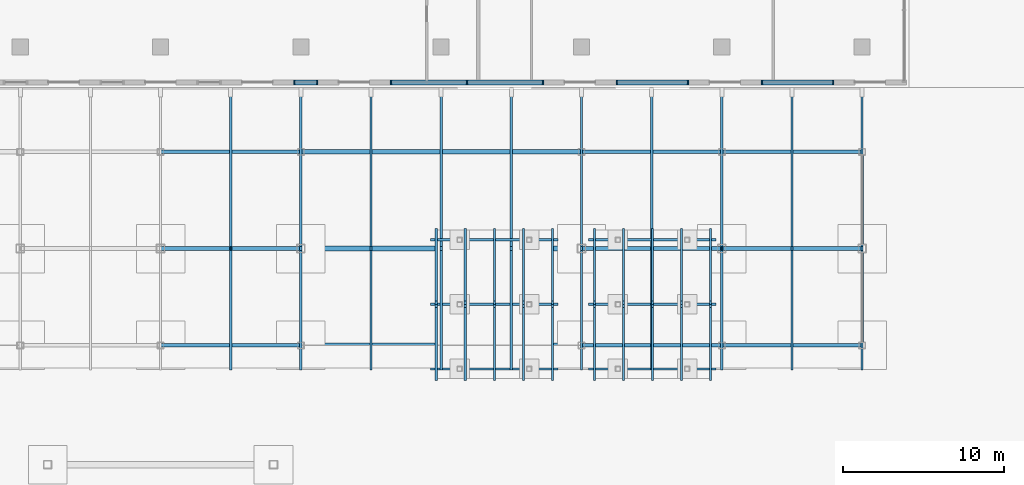
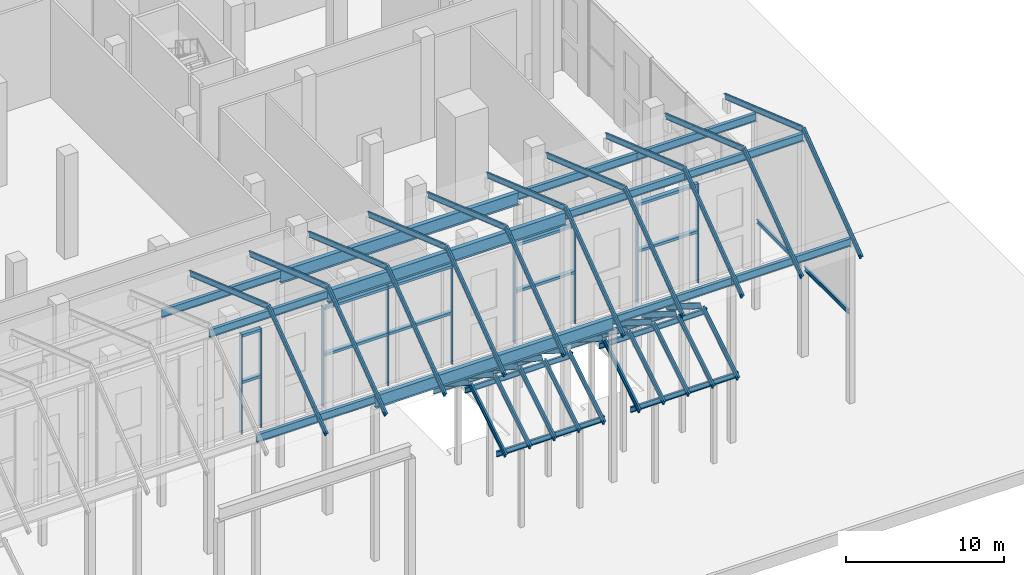
# One storey, part 11 of 31: 60 beams, 19 members, 4 elements without a shape of their own.
"""IFC4 building model written with IfcOpenShell, lengths in metres."""

from ifc_helpers import new_model, si_unit, direction, frame, origin, origin_2d, place, context, subcontext, project, spatial, rectangle, i_section, extrude, material, material_profile, profile_set, type_object, element, aggregate, save


model = new_model("IFC4")

# Units and contexts
model_context = context("Model", 3, precision=1e-05, world=origin(), true_north=direction((0.0, 1.0)))
body_context = subcontext(model_context, "Body", "Model", "MODEL_VIEW")
ifc_project = project(units=[si_unit("LENGTHUNIT", "METRE"), si_unit("AREAUNIT", "SQUARE_METRE"), si_unit("VOLUMEUNIT", "CUBIC_METRE"), si_unit("PLANEANGLEUNIT", "RADIAN"), si_unit("MASSUNIT", "GRAM", prefix="KILO")], contexts=[model_context])

# Site, building, storey
site_placement = place(None, origin())
site = spatial("IfcSite", under=ifc_project, at=site_placement, CompositionType="ELEMENT")
building_placement = place(site_placement, origin())
building = spatial("IfcBuilding", under=site, at=building_placement, Name="Bicima Exchange Tower", CompositionType="ELEMENT")
storey_placement = place(building_placement, origin())
storey = spatial("IfcBuildingStorey", under=building, at=storey_placement, Name="L00", CompositionType="ELEMENT", Elevation=0.0)

# Curtain wall, members
ifc_material_1 = material(Name="Stainless steel", Category="steel")
curtain_wall_type = type_object("IfcCurtainWallType", Name="Hall structural glazing", PredefinedType="NOTDEFINED", material=ifc_material_1)
curtain_wall_1_placement = place(storey_placement, origin())
curtain_wall_1 = element("IfcCurtainWall", 1, at=curtain_wall_1_placement, inside=storey, type_object=curtain_wall_type, Name="Podium glazing L00 south 14", PredefinedType="NOTDEFINED")
ifc_material_profile_1 = material_profile(ifc_material_1, rectangle(XDim=0.300048828125, YDim=0.080078125, at=origin_2d()))
ifc_profile_set_1 = profile_set([ifc_material_profile_1], Name="Stainless steel")
member_type_1 = type_object("IfcMemberType", Name="Hall structural glazing mullion 80 x 300", PredefinedType="MULLION", material=ifc_profile_set_1)
member_1_placement = place(storey_placement, frame((8.2900390625, -53.699951171875, 0.0), z_axis=(0.0, 0.0, 1.0), x_axis=(0.0, 1.0, 0.0)))
member_1 = element("IfcMember", 2, at=member_1_placement, type_object=member_type_1, Name="Hall structural glazing mullion 1", PredefinedType="MULLION", context=body_context, shape_type="SweptSolid", body=[
    extrude(rectangle(XDim=0.300048828125, YDim=0.080078125, at=origin_2d()), origin(), (0.0, 0.0, 1.0), 7.699951171875),
])
member_2_placement = place(storey_placement, frame((9.7099609375, -53.699951171875, 0.0), z_axis=(0.0, 0.0, 1.0), x_axis=(0.0, 1.0, 0.0)))
member_2 = element("IfcMember", 3, at=member_2_placement, type_object=member_type_1, Name="Hall structural glazing mullion 2", PredefinedType="MULLION", context=body_context, shape_type="SweptSolid", body=[
    extrude(rectangle(XDim=0.300048828125, YDim=0.080078125, at=origin_2d()), origin(), (0.0, 0.0, 1.0), 7.699951171875),
])

curtain_wall_2_placement = place(storey_placement, origin())
curtain_wall_2 = element("IfcCurtainWall", 4, at=curtain_wall_2_placement, inside=storey, type_object=curtain_wall_type, Name="Podium glazing L00 south 16", PredefinedType="NOTDEFINED")
member_3_placement = place(storey_placement, frame((14.2900390625, -53.699951171875, 0.0), z_axis=(0.0, 0.0, 1.0), x_axis=(0.0, 1.0, 0.0)))
member_3 = element("IfcMember", 5, at=member_3_placement, type_object=member_type_1, Name="Hall structural glazing mullion 1", PredefinedType="MULLION", context=body_context, shape_type="SweptSolid", body=[
    extrude(rectangle(XDim=0.300048828125, YDim=0.080078125, at=origin_2d()), origin(), (0.0, 0.0, 1.0), 7.699951171875),
])
member_4_placement = place(storey_placement, frame((19.0, -53.699951171875, 0.0), z_axis=(0.0, 0.0, 1.0), x_axis=(0.0, 1.0, 0.0)))
member_4 = element("IfcMember", 6, at=member_4_placement, type_object=member_type_1, Name="Hall structural glazing mullion 2", PredefinedType="MULLION", context=body_context, shape_type="SweptSolid", body=[
    extrude(rectangle(XDim=0.300048828125, YDim=0.080078125, at=origin_2d()), origin(), (0.0, 0.0, 1.0), 7.699951171875),
])
member_5_placement = place(storey_placement, frame((23.7099609375, -53.699951171875, 0.0), z_axis=(0.0, 0.0, 1.0), x_axis=(0.0, 1.0, 0.0)))
member_5 = element("IfcMember", 7, at=member_5_placement, type_object=member_type_1, Name="Hall structural glazing mullion 3", PredefinedType="MULLION", context=body_context, shape_type="SweptSolid", body=[
    extrude(rectangle(XDim=0.300048828125, YDim=0.080078125, at=origin_2d()), origin(), (0.0, 0.0, 1.0), 7.699951171875),
])

curtain_wall_3_placement = place(storey_placement, origin())
curtain_wall_3 = element("IfcCurtainWall", 8, at=curtain_wall_3_placement, inside=storey, type_object=curtain_wall_type, Name="Podium glazing L00 south 18", PredefinedType="NOTDEFINED")
member_6_placement = place(storey_placement, frame((28.2900390625, -53.699951171875, 0.0), z_axis=(0.0, 0.0, 1.0), x_axis=(0.0, 1.0, 0.0)))
member_6 = element("IfcMember", 9, at=member_6_placement, type_object=member_type_1, Name="Hall structural glazing mullion 1", PredefinedType="MULLION", context=body_context, shape_type="SweptSolid", body=[
    extrude(rectangle(XDim=0.300048828125, YDim=0.080078125, at=origin_2d()), origin(), (0.0, 0.0, 1.0), 7.699951171875),
])
member_7_placement = place(storey_placement, frame((32.7099609375, -53.699951171875, 0.0), z_axis=(0.0, 0.0, 1.0), x_axis=(0.0, 1.0, 0.0)))
member_7 = element("IfcMember", 10, at=member_7_placement, type_object=member_type_1, Name="Hall structural glazing mullion 2", PredefinedType="MULLION", context=body_context, shape_type="SweptSolid", body=[
    extrude(rectangle(XDim=0.300048828125, YDim=0.080078125, at=origin_2d()), origin(), (0.0, 0.0, 1.0), 7.699951171875),
])

curtain_wall_4_placement = place(storey_placement, origin())
curtain_wall_4 = element("IfcCurtainWall", 11, at=curtain_wall_4_placement, inside=storey, type_object=curtain_wall_type, Name="Podium glazing L00 south 20", PredefinedType="NOTDEFINED")
member_8_placement = place(storey_placement, frame((37.2900390625, -53.699951171875, 0.0), z_axis=(0.0, 0.0, 1.0), x_axis=(0.0, 1.0, 0.0)))
member_8 = element("IfcMember", 12, at=member_8_placement, type_object=member_type_1, Name="Hall structural glazing mullion 1", PredefinedType="MULLION", context=body_context, shape_type="SweptSolid", body=[
    extrude(rectangle(XDim=0.300048828125, YDim=0.080078125, at=origin_2d()), origin(), (0.0, 0.0, 1.0), 7.699951171875),
])
member_9_placement = place(storey_placement, frame((41.7099609375, -53.699951171875, 0.0), z_axis=(0.0, 0.0, 1.0), x_axis=(0.0, 1.0, 0.0)))
member_9 = element("IfcMember", 13, at=member_9_placement, type_object=member_type_1, Name="Hall structural glazing mullion 2", PredefinedType="MULLION", context=body_context, shape_type="SweptSolid", body=[
    extrude(rectangle(XDim=0.300048828125, YDim=0.080078125, at=origin_2d()), origin(), (0.0, 0.0, 1.0), 7.699951171875),
])

# Member
ifc_material_profile_2 = material_profile(ifc_material_1, rectangle(XDim=0.300048828125, YDim=0.199951171875, at=origin_2d()))
ifc_profile_set_2 = profile_set([ifc_material_profile_2], Name="Stainless steel")
member_type_2 = type_object("IfcMemberType", Name="Hall structural glazing transom 200 x 300", PredefinedType="USERDEFINED", material=ifc_profile_set_2)
member_10_placement = place(storey_placement, frame((8.330078125, -53.699951171875, 4.0), z_axis=(1.0, 0.0, 0.0), x_axis=(0.0, 1.0, 0.0)))
member_10 = element("IfcMember", 14, at=member_10_placement, type_object=member_type_2, Name="Hall structural glazing transom 1.1", ObjectType="TRANSOM", PredefinedType="USERDEFINED", context=body_context, shape_type="SweptSolid", body=[
    extrude(rectangle(XDim=0.300048828125, YDim=0.199951171875, at=origin_2d()), origin(), (0.0, 0.0, 1.0), 1.33984375),
])

member_11_placement = place(storey_placement, frame((8.330078125, -53.699951171875, 7.60009765625), z_axis=(1.0, 0.0, 0.0), x_axis=(0.0, 1.0, 0.0)))
member_11 = element("IfcMember", 15, at=member_11_placement, type_object=member_type_2, Name="Hall structural glazing transom 1.2", ObjectType="TRANSOM", PredefinedType="USERDEFINED", context=body_context, shape_type="SweptSolid", body=[
    extrude(rectangle(XDim=0.300048828125, YDim=0.199951171875, at=origin_2d()), origin(), (0.0, 0.0, 1.0), 1.33984375),
])

aggregate(curtain_wall_1, [member_1, member_2, member_10, member_11])

member_12_placement = place(storey_placement, frame((14.330078125, -53.699951171875, 4.0), z_axis=(1.0, 0.0, 0.0), x_axis=(0.0, 1.0, 0.0)))
member_12 = element("IfcMember", 16, at=member_12_placement, type_object=member_type_2, Name="Hall structural glazing transom 1.1", ObjectType="TRANSOM", PredefinedType="USERDEFINED", context=body_context, shape_type="SweptSolid", body=[
    extrude(rectangle(XDim=0.300048828125, YDim=0.199951171875, at=origin_2d()), origin(), (0.0, 0.0, 1.0), 4.6298828125),
])

member_13_placement = place(storey_placement, frame((14.330078125, -53.699951171875, 7.60009765625), z_axis=(1.0, 0.0, 0.0), x_axis=(0.0, 1.0, 0.0)))
member_13 = element("IfcMember", 17, at=member_13_placement, type_object=member_type_2, Name="Hall structural glazing transom 1.2", ObjectType="TRANSOM", PredefinedType="USERDEFINED", context=body_context, shape_type="SweptSolid", body=[
    extrude(rectangle(XDim=0.300048828125, YDim=0.199951171875, at=origin_2d()), origin(), (0.0, 0.0, 1.0), 4.6298828125),
])

member_14_placement = place(storey_placement, frame((19.0400390625, -53.699951171875, 4.0), z_axis=(1.0, 0.0, 0.0), x_axis=(0.0, 1.0, 0.0)))
member_14 = element("IfcMember", 18, at=member_14_placement, type_object=member_type_2, Name="Hall structural glazing transom 2.1", ObjectType="TRANSOM", PredefinedType="USERDEFINED", context=body_context, shape_type="SweptSolid", body=[
    extrude(rectangle(XDim=0.300048828125, YDim=0.199951171875, at=origin_2d()), origin(), (0.0, 0.0, 1.0), 4.6298828125),
])

member_15_placement = place(storey_placement, frame((19.0400390625, -53.699951171875, 7.60009765625), z_axis=(1.0, 0.0, 0.0), x_axis=(0.0, 1.0, 0.0)))
member_15 = element("IfcMember", 19, at=member_15_placement, type_object=member_type_2, Name="Hall structural glazing transom 2.2", ObjectType="TRANSOM", PredefinedType="USERDEFINED", context=body_context, shape_type="SweptSolid", body=[
    extrude(rectangle(XDim=0.300048828125, YDim=0.199951171875, at=origin_2d()), origin(), (0.0, 0.0, 1.0), 4.6298828125),
])

aggregate(curtain_wall_2, [member_3, member_4, member_5, member_12, member_13, member_14, member_15])

member_16_placement = place(storey_placement, frame((28.330078125, -53.699951171875, 4.0), z_axis=(1.0, 0.0, 0.0), x_axis=(0.0, 1.0, 0.0)))
member_16 = element("IfcMember", 20, at=member_16_placement, type_object=member_type_2, Name="Hall structural glazing transom 1.1", ObjectType="TRANSOM", PredefinedType="USERDEFINED", context=body_context, shape_type="SweptSolid", body=[
    extrude(rectangle(XDim=0.300048828125, YDim=0.199951171875, at=origin_2d()), origin(), (0.0, 0.0, 1.0), 4.33984375),
])

member_17_placement = place(storey_placement, frame((28.330078125, -53.699951171875, 7.60009765625), z_axis=(1.0, 0.0, 0.0), x_axis=(0.0, 1.0, 0.0)))
member_17 = element("IfcMember", 21, at=member_17_placement, type_object=member_type_2, Name="Hall structural glazing transom 1.2", ObjectType="TRANSOM", PredefinedType="USERDEFINED", context=body_context, shape_type="SweptSolid", body=[
    extrude(rectangle(XDim=0.300048828125, YDim=0.199951171875, at=origin_2d()), origin(), (0.0, 0.0, 1.0), 4.33984375),
])

aggregate(curtain_wall_3, [member_6, member_7, member_16, member_17])

member_18_placement = place(storey_placement, frame((37.330078125, -53.699951171875, 4.0), z_axis=(1.0, 0.0, 0.0), x_axis=(0.0, 1.0, 0.0)))
member_18 = element("IfcMember", 22, at=member_18_placement, type_object=member_type_2, Name="Hall structural glazing transom 1.1", ObjectType="TRANSOM", PredefinedType="USERDEFINED", context=body_context, shape_type="SweptSolid", body=[
    extrude(rectangle(XDim=0.300048828125, YDim=0.199951171875, at=origin_2d()), origin(), (0.0, 0.0, 1.0), 4.33984375),
])

member_19_placement = place(storey_placement, frame((37.330078125, -53.699951171875, 7.60009765625), z_axis=(1.0, 0.0, 0.0), x_axis=(0.0, 1.0, 0.0)))
member_19 = element("IfcMember", 23, at=member_19_placement, type_object=member_type_2, Name="Hall structural glazing transom 1.2", ObjectType="TRANSOM", PredefinedType="USERDEFINED", context=body_context, shape_type="SweptSolid", body=[
    extrude(rectangle(XDim=0.300048828125, YDim=0.199951171875, at=origin_2d()), origin(), (0.0, 0.0, 1.0), 4.33984375),
])

aggregate(curtain_wall_4, [member_8, member_9, member_18, member_19])

# Beams
ifc_material_2 = material(Name="Steel ASTM A992 Gr 50", Category="steel")
ifc_material_profile_3 = material_profile(ifc_material_2, i_section(OverallWidth=0.140380859375, OverallDepth=0.40380859375, WebThickness=0.007080078125, FlangeThickness=0.01123046875, at=origin_2d()))
ifc_profile_set_3 = profile_set([ifc_material_profile_3], Name="Steel ASTM A992 Gr 50")
beam_type_1 = type_object("IfcBeamType", Name="Pavilion eaves girder W16x31", PredefinedType="BEAM", material=ifc_profile_set_3)
for number, where, z_axis, x_axis, name in (
    (24, (16.75, -63.4599609375, 6.201904296875), (1.0, 0.0, 0.0), (0.0, 1.0, 0.0), "Pavilion eaves girder"),
    (25, (16.75, -71.4599609375, 6.201904296875), (1.0, 0.0, 0.0), (0.0, 1.0, 0.0), "Pavilion eaves girder"),
    (26, (26.550048828125, -63.4599609375, 6.201904296875), (1.0, 0.0, 0.0), (0.0, 1.0, 0.0), "Pavilion eaves girder"),
    (27, (26.550048828125, -71.4599609375, 6.201904296875), (1.0, 0.0, 0.0), (0.0, 1.0, 0.0), "Pavilion eaves girder"),
):
    element("IfcBeam", number, at=place(storey_placement, frame(where, z_axis=z_axis, x_axis=x_axis)), inside=storey, type_object=beam_type_1, Name=name, PredefinedType="BEAM", context=body_context, shape_type="SweptSolid", body=[
        extrude(i_section(OverallWidth=0.140380859375, OverallDepth=0.40380859375, WebThickness=0.007080078125, FlangeThickness=0.01123046875, at=origin_2d()), origin(), (0.0, 0.0, 1.0), 7.89990234375),
    ])
beam_type_2 = type_object("IfcBeamType", Name="Pavilion rafter W16x31", PredefinedType="BEAM", material=ifc_profile_set_3)
for number, where, z_axis, x_axis, name in (
    (28, (17.10009765625, -62.860107421875, 6.310791015625), (0.0, -0.848039657914, 0.529932768004), (1.0, 0.0, 0.0), "Pavilion rafter"),
    (29, (17.10009765625, -67.56005859375, 9.122802734375), (0.0, -0.848039657914, -0.529932768004), (1.0, 0.0, 0.0), "Pavilion rafter"),
    (30, (18.89990234375, -62.860107421875, 6.310791015625), (0.0, -0.848039657914, 0.529932768004), (1.0, 0.0, 0.0), "Pavilion rafter"),
    (31, (18.89990234375, -67.56005859375, 9.122802734375), (0.0, -0.848039657914, -0.529932768004), (1.0, 0.0, 0.0), "Pavilion rafter"),
    (32, (20.699951171875, -62.860107421875, 6.310791015625), (0.0, -0.848039657914, 0.529932768004), (1.0, 0.0, 0.0), "Pavilion rafter"),
    (33, (20.699951171875, -67.56005859375, 9.122802734375), (0.0, -0.848039657914, -0.529932768004), (1.0, 0.0, 0.0), "Pavilion rafter"),
    (34, (22.5, -62.860107421875, 6.310791015625), (0.0, -0.848039657914, 0.529932768004), (1.0, 0.0, 0.0), "Pavilion rafter"),
    (35, (22.5, -67.56005859375, 9.122802734375), (0.0, -0.848039657914, -0.529932768004), (1.0, 0.0, 0.0), "Pavilion rafter"),
    (36, (24.300048828125, -62.860107421875, 6.310791015625), (0.0, -0.848039657914, 0.529932768004), (1.0, 0.0, 0.0), "Pavilion rafter"),
    (37, (24.300048828125, -67.56005859375, 9.122802734375), (0.0, -0.848039657914, -0.529932768004), (1.0, 0.0, 0.0), "Pavilion rafter"),
    (38, (26.89990234375, -62.860107421875, 6.310791015625), (0.0, -0.848039657914, 0.529932768004), (1.0, 0.0, 0.0), "Pavilion rafter"),
    (39, (26.89990234375, -67.56005859375, 9.122802734375), (0.0, -0.848039657914, -0.529932768004), (1.0, 0.0, 0.0), "Pavilion rafter"),
    (40, (28.699951171875, -62.860107421875, 6.310791015625), (0.0, -0.848039657914, 0.529932768004), (1.0, 0.0, 0.0), "Pavilion rafter"),
    (41, (28.699951171875, -67.56005859375, 9.122802734375), (0.0, -0.848039657914, -0.529932768004), (1.0, 0.0, 0.0), "Pavilion rafter"),
    (42, (30.5, -62.860107421875, 6.310791015625), (0.0, -0.848039657914, 0.529932768004), (1.0, 0.0, 0.0), "Pavilion rafter"),
    (43, (30.5, -67.56005859375, 9.122802734375), (0.0, -0.848039657914, -0.529932768004), (1.0, 0.0, 0.0), "Pavilion rafter"),
    (44, (32.300048828125, -62.860107421875, 6.310791015625), (0.0, -0.848039657914, 0.529932768004), (1.0, 0.0, 0.0), "Pavilion rafter"),
    (45, (32.300048828125, -67.56005859375, 9.122802734375), (0.0, -0.848039657914, -0.529932768004), (1.0, 0.0, 0.0), "Pavilion rafter"),
    (46, (34.10009765625, -62.860107421875, 6.310791015625), (0.0, -0.848039657914, 0.529932768004), (1.0, 0.0, 0.0), "Pavilion rafter"),
    (47, (34.10009765625, -67.56005859375, 9.122802734375), (0.0, -0.848039657914, -0.529932768004), (1.0, 0.0, 0.0), "Pavilion rafter"),
):
    element("IfcBeam", number, at=place(storey_placement, frame(where, z_axis=z_axis, x_axis=x_axis)), inside=storey, type_object=beam_type_2, Name=name, PredefinedType="BEAM", context=body_context, shape_type="SweptSolid", body=[
        extrude(i_section(OverallWidth=0.140380859375, OverallDepth=0.40380859375, WebThickness=0.007080078125, FlangeThickness=0.01123046875, at=origin_2d()), origin(), (0.0, 0.0, 1.0), 5.306396484375),
    ])
beam_type_3 = type_object("IfcBeamType", Name="Pavilion ridge girder W16x31", PredefinedType="BEAM", material=ifc_profile_set_3)
for number, where, z_axis, x_axis, name in (
    (48, (16.75, -67.4599609375, 8.701416015625), (1.0, 0.0, 0.0), (0.0, 1.0, 0.0), "Pavilion ridge girder"),
    (49, (26.550048828125, -67.4599609375, 8.701416015625), (1.0, 0.0, 0.0), (0.0, 1.0, 0.0), "Pavilion ridge girder"),
):
    element("IfcBeam", number, at=place(storey_placement, frame(where, z_axis=z_axis, x_axis=x_axis)), inside=storey, type_object=beam_type_3, Name=name, PredefinedType="BEAM", context=body_context, shape_type="SweptSolid", body=[
        extrude(i_section(OverallWidth=0.140380859375, OverallDepth=0.40380859375, WebThickness=0.007080078125, FlangeThickness=0.01123046875, at=origin_2d()), origin(), (0.0, 0.0, 1.0), 7.89990234375),
    ])
ifc_material_profile_4 = material_profile(ifc_material_2, i_section(OverallWidth=0.164794921875, OverallDepth=0.309814453125, WebThickness=0.005859375, FlangeThickness=0.009765625, at=origin_2d()))
ifc_profile_set_4 = profile_set([ifc_material_profile_4], Name="Steel ASTM A992 Gr 50")
beam_type_4 = type_object("IfcBeamType", Name="Portico end transom W12x26", PredefinedType="BEAM", material=ifc_profile_set_4)
for number, where, z_axis, x_axis, name in (
    (50, (43.5, -58.203125, 6.84521484375), (0.0, -1.0, 0.0), (1.0, 0.0, 0.0), "Portico end transom"),
    (51, (43.5, -64.25390625, 6.84521484375), (0.0, -1.0, 0.0), (1.0, 0.0, 0.0), "Portico end transom"),
):
    element("IfcBeam", number, at=place(storey_placement, frame(where, z_axis=z_axis, x_axis=x_axis)), inside=storey, type_object=beam_type_4, Name=name, PredefinedType="BEAM", context=body_context, shape_type="SweptSolid", body=[
        extrude(i_section(OverallWidth=0.164794921875, OverallDepth=0.309814453125, WebThickness=0.005859375, FlangeThickness=0.009765625, at=origin_2d()), origin(), (0.0, 0.0, 1.0), 5.54296875),
    ])
ifc_material_profile_5 = material_profile(ifc_material_2, i_section(OverallWidth=0.227783203125, OverallDepth=0.60205078125, WebThickness=0.010498046875, FlangeThickness=0.014892578125, at=origin_2d()))
ifc_profile_set_5 = profile_set([ifc_material_profile_5], Name="Steel ASTM A992 Gr 50")
beam_type_5 = type_object("IfcBeamType", Name="Portico girder W24x68", PredefinedType="BEAM", material=ifc_profile_set_5)
for number, where, z_axis, x_axis, name in (
    (52, (0.0, -58.0, 14.80517578125), (1.0, 0.0, 0.0), (0.0, 1.0, 0.0), "Portico girder"),
    (53, (26.10009765625, -58.0, 14.80517578125), (1.0, 0.0, 0.0), (0.0, 1.0, 0.0), "Portico girder"),
    (54, (34.800048828125, -58.0, 14.80517578125), (1.0, 0.0, 0.0), (0.0, 1.0, 0.0), "Portico girder"),
    (55, (0.0, -64.0, 16.897216796875), (1.0, 0.0, 0.0), (0.0, 1.0, 0.0), "Portico girder"),
    (56, (26.10009765625, -64.0, 16.897216796875), (1.0, 0.0, 0.0), (0.0, 1.0, 0.0), "Portico girder"),
    (57, (34.800048828125, -64.0, 16.897216796875), (1.0, 0.0, 0.0), (0.0, 1.0, 0.0), "Portico girder"),
    (58, (0.0, -70.0, 12.410400390625), (1.0, 0.0, 0.0), (0.0, 1.0, 0.0), "Portico girder"),
    (59, (26.10009765625, -70.0, 12.410400390625), (1.0, 0.0, 0.0), (0.0, 1.0, 0.0), "Portico girder"),
    (60, (34.800048828125, -70.0, 12.410400390625), (1.0, 0.0, 0.0), (0.0, 1.0, 0.0), "Portico girder"),
):
    element("IfcBeam", number, at=place(storey_placement, frame(where, z_axis=z_axis, x_axis=x_axis)), inside=storey, type_object=beam_type_5, Name=name, PredefinedType="BEAM", context=body_context, shape_type="SweptSolid", body=[
        extrude(i_section(OverallWidth=0.227783203125, OverallDepth=0.60205078125, WebThickness=0.010498046875, FlangeThickness=0.014892578125, at=origin_2d()), origin(), (0.0, 0.0, 1.0), 8.699951171875),
    ])
ifc_material_profile_6 = material_profile(ifc_material_2, i_section(OverallWidth=0.2998046875, OverallDepth=0.97021484375, WebThickness=0.01611328125, FlangeThickness=0.02099609375, at=origin_2d()))
ifc_profile_set_6 = profile_set([ifc_material_profile_6], Name="Steel ASTM A992 Gr 50")
beam_type_6 = type_object("IfcBeamType", Name="Portico girder W40x149", PredefinedType="BEAM", material=ifc_profile_set_6)
for number, where, z_axis, x_axis, name in (
    (61, (8.699951171875, -58.0, 14.62109375), (1.0, 0.0, 0.0), (0.0, 1.0, 0.0), "Portico girder"),
    (62, (8.699951171875, -64.0, 16.712890625), (1.0, 0.0, 0.0), (0.0, 1.0, 0.0), "Portico girder"),
    (63, (8.699951171875, -70.0, 12.226318359375), (1.0, 0.0, 0.0), (0.0, 1.0, 0.0), "Portico girder"),
):
    element("IfcBeam", number, at=place(storey_placement, frame(where, z_axis=z_axis, x_axis=x_axis)), inside=storey, type_object=beam_type_6, Name=name, PredefinedType="BEAM", context=body_context, shape_type="SweptSolid", body=[
        extrude(i_section(OverallWidth=0.2998046875, OverallDepth=0.97021484375, WebThickness=0.01611328125, FlangeThickness=0.02099609375, at=origin_2d()), origin(), (0.0, 0.0, 1.0), 17.400146484375),
    ])
beam_type_7 = type_object("IfcBeamType", Name="Portico rafter W16x31", PredefinedType="BEAM", material=ifc_profile_set_3)
beam_1_placement = place(storey_placement, frame((4.35009765625, -54.10009765625, 14.0), z_axis=(0.0, -0.944282340982, 0.329136537791), x_axis=(1.0, 0.0, 0.0)))
element("IfcBeam", 64, at=beam_1_placement, inside=storey, type_object=beam_type_7, Name="Portico rafter", PredefinedType="BEAM", context=body_context, shape_type="SweptSolid", body=[
    extrude(i_section(OverallWidth=0.140380859375, OverallDepth=0.40380859375, WebThickness=0.007080078125, FlangeThickness=0.01123046875, at=origin_2d()), origin(), (0.0, 0.0, 1.0), 10.484130859375),
])
beam_2_placement = place(storey_placement, frame((4.35009765625, -64.0, 17.53125), z_axis=(0.0, -0.800969313172, -0.598705402812), x_axis=(1.0, 0.0, 0.0)))
element("IfcBeam", 65, at=beam_2_placement, inside=storey, type_object=beam_type_7, Name="Portico rafter", PredefinedType="BEAM", context=body_context, shape_type="SweptSolid", body=[
    extrude(i_section(OverallWidth=0.140380859375, OverallDepth=0.40380859375, WebThickness=0.007080078125, FlangeThickness=0.01123046875, at=origin_2d()), origin(), (0.0, 0.0, 1.0), 9.23876953125),
])
beam_3_placement = place(storey_placement, frame((8.699951171875, -54.10009765625, 14.0), z_axis=(0.0, -0.944282340982, 0.329136537791), x_axis=(1.0, 0.0, 0.0)))
element("IfcBeam", 66, at=beam_3_placement, inside=storey, type_object=beam_type_7, Name="Portico rafter", PredefinedType="BEAM", context=body_context, shape_type="SweptSolid", body=[
    extrude(i_section(OverallWidth=0.140380859375, OverallDepth=0.40380859375, WebThickness=0.007080078125, FlangeThickness=0.01123046875, at=origin_2d()), origin(), (0.0, 0.0, 1.0), 10.484130859375),
])
beam_4_placement = place(storey_placement, frame((8.699951171875, -64.0, 17.53125), z_axis=(0.0, -0.800969313172, -0.598705402812), x_axis=(1.0, 0.0, 0.0)))
element("IfcBeam", 67, at=beam_4_placement, inside=storey, type_object=beam_type_7, Name="Portico rafter", PredefinedType="BEAM", context=body_context, shape_type="SweptSolid", body=[
    extrude(i_section(OverallWidth=0.140380859375, OverallDepth=0.40380859375, WebThickness=0.007080078125, FlangeThickness=0.01123046875, at=origin_2d()), origin(), (0.0, 0.0, 1.0), 9.23876953125),
])
beam_5_placement = place(storey_placement, frame((13.050048828125, -54.10009765625, 14.0), z_axis=(0.0, -0.944282340982, 0.329136537791), x_axis=(1.0, 0.0, 0.0)))
element("IfcBeam", 68, at=beam_5_placement, inside=storey, type_object=beam_type_7, Name="Portico rafter", PredefinedType="BEAM", context=body_context, shape_type="SweptSolid", body=[
    extrude(i_section(OverallWidth=0.140380859375, OverallDepth=0.40380859375, WebThickness=0.007080078125, FlangeThickness=0.01123046875, at=origin_2d()), origin(), (0.0, 0.0, 1.0), 10.484130859375),
])
beam_6_placement = place(storey_placement, frame((13.050048828125, -64.0, 17.53125), z_axis=(0.0, -0.800969313172, -0.598705402812), x_axis=(1.0, 0.0, 0.0)))
element("IfcBeam", 69, at=beam_6_placement, inside=storey, type_object=beam_type_7, Name="Portico rafter", PredefinedType="BEAM", context=body_context, shape_type="SweptSolid", body=[
    extrude(i_section(OverallWidth=0.140380859375, OverallDepth=0.40380859375, WebThickness=0.007080078125, FlangeThickness=0.01123046875, at=origin_2d()), origin(), (0.0, 0.0, 1.0), 9.23876953125),
])
beam_7_placement = place(storey_placement, frame((17.39990234375, -54.10009765625, 14.0), z_axis=(0.0, -0.944282340982, 0.329136537791), x_axis=(1.0, 0.0, 0.0)))
element("IfcBeam", 70, at=beam_7_placement, inside=storey, type_object=beam_type_7, Name="Portico rafter", PredefinedType="BEAM", context=body_context, shape_type="SweptSolid", body=[
    extrude(i_section(OverallWidth=0.140380859375, OverallDepth=0.40380859375, WebThickness=0.007080078125, FlangeThickness=0.01123046875, at=origin_2d()), origin(), (0.0, 0.0, 1.0), 10.484130859375),
])
beam_8_placement = place(storey_placement, frame((17.39990234375, -64.0, 17.53125), z_axis=(0.0, -0.800969313172, -0.598705402812), x_axis=(1.0, 0.0, 0.0)))
element("IfcBeam", 71, at=beam_8_placement, inside=storey, type_object=beam_type_7, Name="Portico rafter", PredefinedType="BEAM", context=body_context, shape_type="SweptSolid", body=[
    extrude(i_section(OverallWidth=0.140380859375, OverallDepth=0.40380859375, WebThickness=0.007080078125, FlangeThickness=0.01123046875, at=origin_2d()), origin(), (0.0, 0.0, 1.0), 9.23876953125),
])
beam_9_placement = place(storey_placement, frame((21.75, -54.10009765625, 14.0), z_axis=(0.0, -0.944282340982, 0.329136537791), x_axis=(1.0, 0.0, 0.0)))
element("IfcBeam", 72, at=beam_9_placement, inside=storey, type_object=beam_type_7, Name="Portico rafter", PredefinedType="BEAM", context=body_context, shape_type="SweptSolid", body=[
    extrude(i_section(OverallWidth=0.140380859375, OverallDepth=0.40380859375, WebThickness=0.007080078125, FlangeThickness=0.01123046875, at=origin_2d()), origin(), (0.0, 0.0, 1.0), 10.484130859375),
])
beam_10_placement = place(storey_placement, frame((21.75, -64.0, 17.53125), z_axis=(0.0, -0.800969313172, -0.598705402812), x_axis=(1.0, 0.0, 0.0)))
element("IfcBeam", 73, at=beam_10_placement, inside=storey, type_object=beam_type_7, Name="Portico rafter", PredefinedType="BEAM", context=body_context, shape_type="SweptSolid", body=[
    extrude(i_section(OverallWidth=0.140380859375, OverallDepth=0.40380859375, WebThickness=0.007080078125, FlangeThickness=0.01123046875, at=origin_2d()), origin(), (0.0, 0.0, 1.0), 9.23876953125),
])
beam_11_placement = place(storey_placement, frame((26.10009765625, -54.10009765625, 14.0), z_axis=(0.0, -0.944282340982, 0.329136537791), x_axis=(1.0, 0.0, 0.0)))
element("IfcBeam", 74, at=beam_11_placement, inside=storey, type_object=beam_type_7, Name="Portico rafter", PredefinedType="BEAM", context=body_context, shape_type="SweptSolid", body=[
    extrude(i_section(OverallWidth=0.140380859375, OverallDepth=0.40380859375, WebThickness=0.007080078125, FlangeThickness=0.01123046875, at=origin_2d()), origin(), (0.0, 0.0, 1.0), 10.484130859375),
])
beam_12_placement = place(storey_placement, frame((26.10009765625, -64.0, 17.53125), z_axis=(0.0, -0.800969313172, -0.598705402812), x_axis=(1.0, 0.0, 0.0)))
element("IfcBeam", 75, at=beam_12_placement, inside=storey, type_object=beam_type_7, Name="Portico rafter", PredefinedType="BEAM", context=body_context, shape_type="SweptSolid", body=[
    extrude(i_section(OverallWidth=0.140380859375, OverallDepth=0.40380859375, WebThickness=0.007080078125, FlangeThickness=0.01123046875, at=origin_2d()), origin(), (0.0, 0.0, 1.0), 9.23876953125),
])
beam_13_placement = place(storey_placement, frame((30.449951171875, -54.10009765625, 14.0), z_axis=(0.0, -0.944282340982, 0.329136537791), x_axis=(1.0, 0.0, 0.0)))
element("IfcBeam", 76, at=beam_13_placement, inside=storey, type_object=beam_type_7, Name="Portico rafter", PredefinedType="BEAM", context=body_context, shape_type="SweptSolid", body=[
    extrude(i_section(OverallWidth=0.140380859375, OverallDepth=0.40380859375, WebThickness=0.007080078125, FlangeThickness=0.01123046875, at=origin_2d()), origin(), (0.0, 0.0, 1.0), 10.484130859375),
])
beam_14_placement = place(storey_placement, frame((30.449951171875, -64.0, 17.53125), z_axis=(0.0, -0.800969313172, -0.598705402812), x_axis=(1.0, 0.0, 0.0)))
element("IfcBeam", 77, at=beam_14_placement, inside=storey, type_object=beam_type_7, Name="Portico rafter", PredefinedType="BEAM", context=body_context, shape_type="SweptSolid", body=[
    extrude(i_section(OverallWidth=0.140380859375, OverallDepth=0.40380859375, WebThickness=0.007080078125, FlangeThickness=0.01123046875, at=origin_2d()), origin(), (0.0, 0.0, 1.0), 9.23876953125),
])
beam_15_placement = place(storey_placement, frame((34.800048828125, -54.10009765625, 14.0), z_axis=(0.0, -0.944282340982, 0.329136537791), x_axis=(1.0, 0.0, 0.0)))
element("IfcBeam", 78, at=beam_15_placement, inside=storey, type_object=beam_type_7, Name="Portico rafter", PredefinedType="BEAM", context=body_context, shape_type="SweptSolid", body=[
    extrude(i_section(OverallWidth=0.140380859375, OverallDepth=0.40380859375, WebThickness=0.007080078125, FlangeThickness=0.01123046875, at=origin_2d()), origin(), (0.0, 0.0, 1.0), 10.484130859375),
])
beam_16_placement = place(storey_placement, frame((34.800048828125, -64.0, 17.53125), z_axis=(0.0, -0.800969313172, -0.598705402812), x_axis=(1.0, 0.0, 0.0)))
element("IfcBeam", 79, at=beam_16_placement, inside=storey, type_object=beam_type_7, Name="Portico rafter", PredefinedType="BEAM", context=body_context, shape_type="SweptSolid", body=[
    extrude(i_section(OverallWidth=0.140380859375, OverallDepth=0.40380859375, WebThickness=0.007080078125, FlangeThickness=0.01123046875, at=origin_2d()), origin(), (0.0, 0.0, 1.0), 9.23876953125),
])
beam_17_placement = place(storey_placement, frame((39.14990234375, -54.10009765625, 14.0), z_axis=(0.0, -0.944282340982, 0.329136537791), x_axis=(1.0, 0.0, 0.0)))
element("IfcBeam", 80, at=beam_17_placement, inside=storey, type_object=beam_type_7, Name="Portico rafter", PredefinedType="BEAM", context=body_context, shape_type="SweptSolid", body=[
    extrude(i_section(OverallWidth=0.140380859375, OverallDepth=0.40380859375, WebThickness=0.007080078125, FlangeThickness=0.01123046875, at=origin_2d()), origin(), (0.0, 0.0, 1.0), 10.484130859375),
])
beam_18_placement = place(storey_placement, frame((39.14990234375, -64.0, 17.53125), z_axis=(0.0, -0.800969313172, -0.598705402812), x_axis=(1.0, 0.0, 0.0)))
element("IfcBeam", 81, at=beam_18_placement, inside=storey, type_object=beam_type_7, Name="Portico rafter", PredefinedType="BEAM", context=body_context, shape_type="SweptSolid", body=[
    extrude(i_section(OverallWidth=0.140380859375, OverallDepth=0.40380859375, WebThickness=0.007080078125, FlangeThickness=0.01123046875, at=origin_2d()), origin(), (0.0, 0.0, 1.0), 9.23876953125),
])
beam_19_placement = place(storey_placement, frame((43.5, -54.10009765625, 14.0), z_axis=(0.0, -0.944282340982, 0.329136537791), x_axis=(1.0, 0.0, 0.0)))
element("IfcBeam", 82, at=beam_19_placement, inside=storey, type_object=beam_type_7, Name="Portico rafter", PredefinedType="BEAM", context=body_context, shape_type="SweptSolid", body=[
    extrude(i_section(OverallWidth=0.140380859375, OverallDepth=0.40380859375, WebThickness=0.007080078125, FlangeThickness=0.01123046875, at=origin_2d()), origin(), (0.0, 0.0, 1.0), 10.484130859375),
])
beam_20_placement = place(storey_placement, frame((43.5, -64.0, 17.53125), z_axis=(0.0, -0.800969313172, -0.598705402812), x_axis=(1.0, 0.0, 0.0)))
element("IfcBeam", 83, at=beam_20_placement, inside=storey, type_object=beam_type_7, Name="Portico rafter", PredefinedType="BEAM", context=body_context, shape_type="SweptSolid", body=[
    extrude(i_section(OverallWidth=0.140380859375, OverallDepth=0.40380859375, WebThickness=0.007080078125, FlangeThickness=0.01123046875, at=origin_2d()), origin(), (0.0, 0.0, 1.0), 9.23876953125),
])

save(model, "model.ifc")
